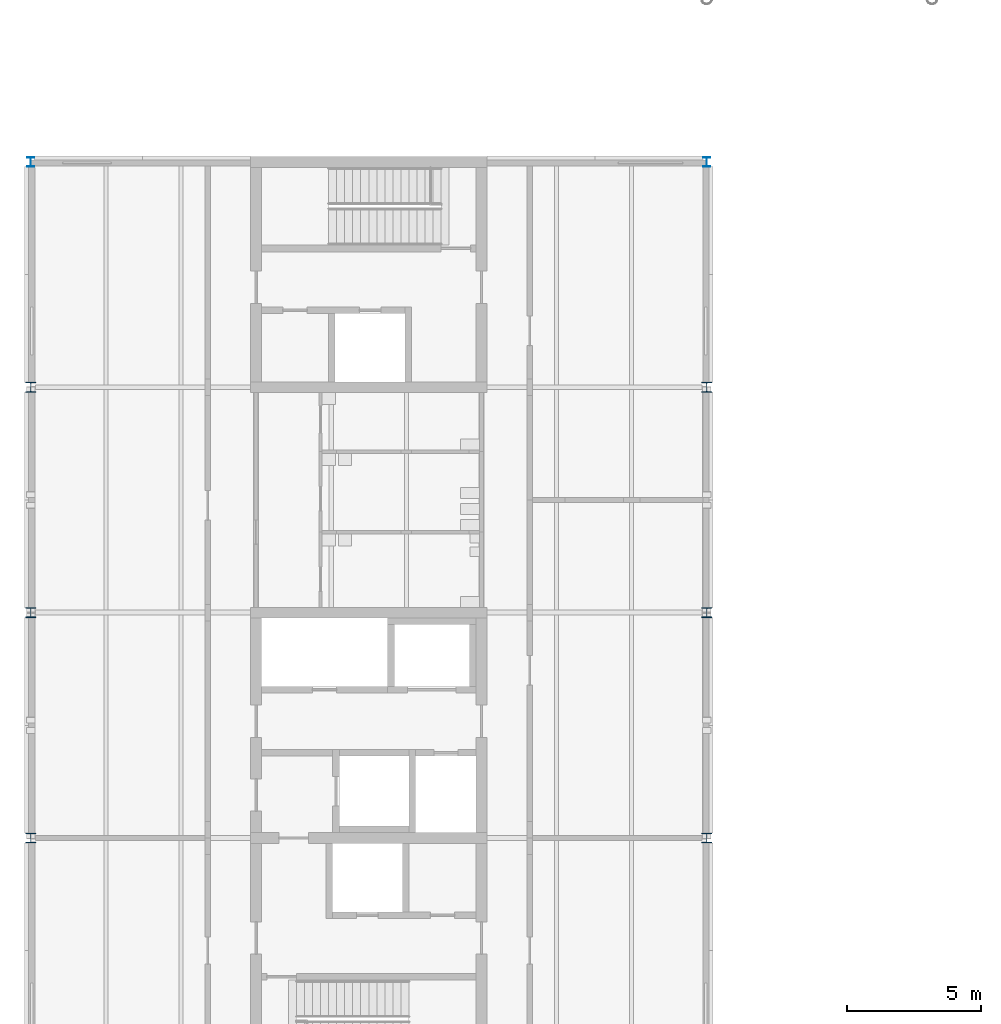
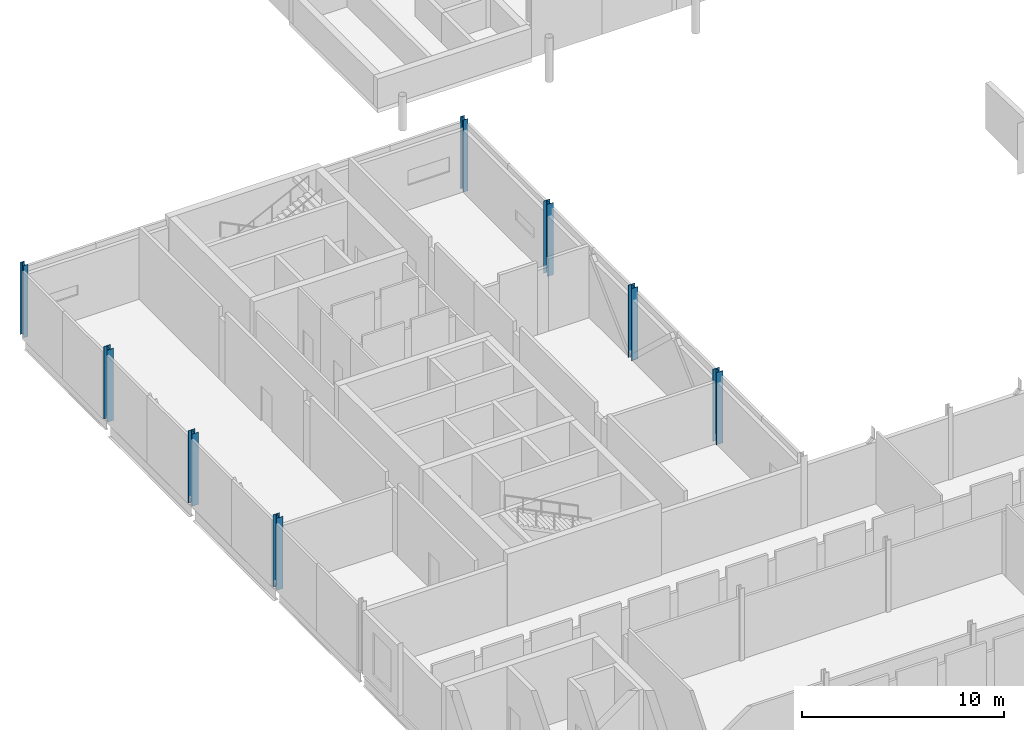
# One storey, part 3 of 72: 8 columns.
"""IFC4 building model written with IfcOpenShell, lengths in metres."""

from ifc_helpers import new_model, si_unit, direction, frame, origin, origin_2d, place, context, subcontext, project, spatial, i_section, extrude, material, material_profile, profile_set, type_object, element, save


model = new_model("IFC4")

# Units and contexts
model_context = context("Model", 3, precision=1e-05, world=origin(), true_north=direction((0.0, 1.0)))
body_context = subcontext(model_context, "Body", "Model", "MODEL_VIEW")
ifc_project = project(units=[si_unit("LENGTHUNIT", "METRE"), si_unit("AREAUNIT", "SQUARE_METRE"), si_unit("VOLUMEUNIT", "CUBIC_METRE"), si_unit("PLANEANGLEUNIT", "RADIAN"), si_unit("MASSUNIT", "GRAM", prefix="KILO")], contexts=[model_context])

# Site, building, storey
site_placement = place(None, origin())
site = spatial("IfcSite", under=ifc_project, at=site_placement, CompositionType="ELEMENT")
building_placement = place(site_placement, origin())
building = spatial("IfcBuilding", under=site, at=building_placement, Name="Hlaing Beacon Police Headquarters", CompositionType="ELEMENT")
storey_placement = place(building_placement, frame((0.0, 0.0, 14.39990234375)))
storey = spatial("IfcBuildingStorey", under=building, at=storey_placement, Name="L03", CompositionType="ELEMENT", Elevation=14.39990234375)

# Columns
ifc_material_1 = material(Name="Steel ASTM A992 Grade 50", Category="steel")
ifc_material_profile_1 = material_profile(ifc_material_1, i_section(OverallWidth=0.370849609375, OverallDepth=0.36328125, WebThickness=0.013427734375, FlangeThickness=0.021728515625, FilletRadius=0.01513671875, at=origin_2d()), Name="W14x109")
ifc_profile_set_1 = profile_set([ifc_material_profile_1], Name="Steel ASTM A992 Grade 50")
column_type_1 = type_object("IfcColumnType", Name="Steel column W14x109", PredefinedType="COLUMN", material=ifc_profile_set_1)
for number, where, z_axis, x_axis, name in (
    (1, (8.39990234375, 42.0, 0.0), (0.0, 0.0, 1.0), (1.0, 0.0, 0.0), "STR-COL-L03-B6"),
    (2, (8.39990234375, 50.39990234375, 0.0), (0.0, 0.0, 1.0), (1.0, 0.0, 0.0), "STR-COL-L03-B7"),
    (3, (8.39990234375, 58.800048828125, 0.0), (0.0, 0.0, 1.0), (1.0, 0.0, 0.0), "STR-COL-L03-B8"),
    (4, (33.60009765625, 42.0, 0.0), (0.0, 0.0, 1.0), (1.0, 0.0, 0.0), "STR-COL-L03-E6"),
    (5, (33.60009765625, 50.39990234375, 0.0), (0.0, 0.0, 1.0), (1.0, 0.0, 0.0), "STR-COL-L03-E7"),
    (6, (33.60009765625, 58.800048828125, 0.0), (0.0, 0.0, 1.0), (1.0, 0.0, 0.0), "STR-COL-L03-E8"),
):
    element("IfcColumn", number, at=place(storey_placement, frame(where, z_axis=z_axis, x_axis=x_axis)), inside=storey, type_object=column_type_1, Name=name, PredefinedType="COLUMN", context=body_context, shape_type="SweptSolid", body=[
        extrude(i_section(OverallWidth=0.370849609375, OverallDepth=0.36328125, WebThickness=0.013427734375, FlangeThickness=0.021728515625, FilletRadius=0.01513671875, at=origin_2d()), origin(), (0.0, 0.0, 1.0), 4.3701171875),
    ])
ifc_material_2 = material(Name="Steel ASTM A992 Grade 50", Category="steel")
ifc_material_profile_2 = material_profile(ifc_material_2, i_section(OverallWidth=0.25390625, OverallDepth=0.355712890625, WebThickness=0.010498046875, FlangeThickness=0.018310546875, FilletRadius=0.014892578125, at=origin_2d()), Name="W14x68")
ifc_profile_set_2 = profile_set([ifc_material_profile_2], Name="Steel ASTM A992 Grade 50")
column_type_2 = type_object("IfcColumnType", Name="Steel column W14x68", PredefinedType="COLUMN", material=ifc_profile_set_2)
for number, where, z_axis, x_axis, name in (
    (7, (8.39990234375, 67.199951171875, 0.0), (0.0, 0.0, 1.0), (1.0, 0.0, 0.0), "STR-COL-L03-B9"),
    (8, (33.60009765625, 67.199951171875, 0.0), (0.0, 0.0, 1.0), (1.0, 0.0, 0.0), "STR-COL-L03-E9"),
):
    element("IfcColumn", number, at=place(storey_placement, frame(where, z_axis=z_axis, x_axis=x_axis)), inside=storey, type_object=column_type_2, Name=name, PredefinedType="COLUMN", context=body_context, shape_type="SweptSolid", body=[
        extrude(i_section(OverallWidth=0.25390625, OverallDepth=0.355712890625, WebThickness=0.010498046875, FlangeThickness=0.018310546875, FilletRadius=0.014892578125, at=origin_2d()), origin(), (0.0, 0.0, 1.0), 4.3701171875),
    ])

save(model, "model.ifc")
